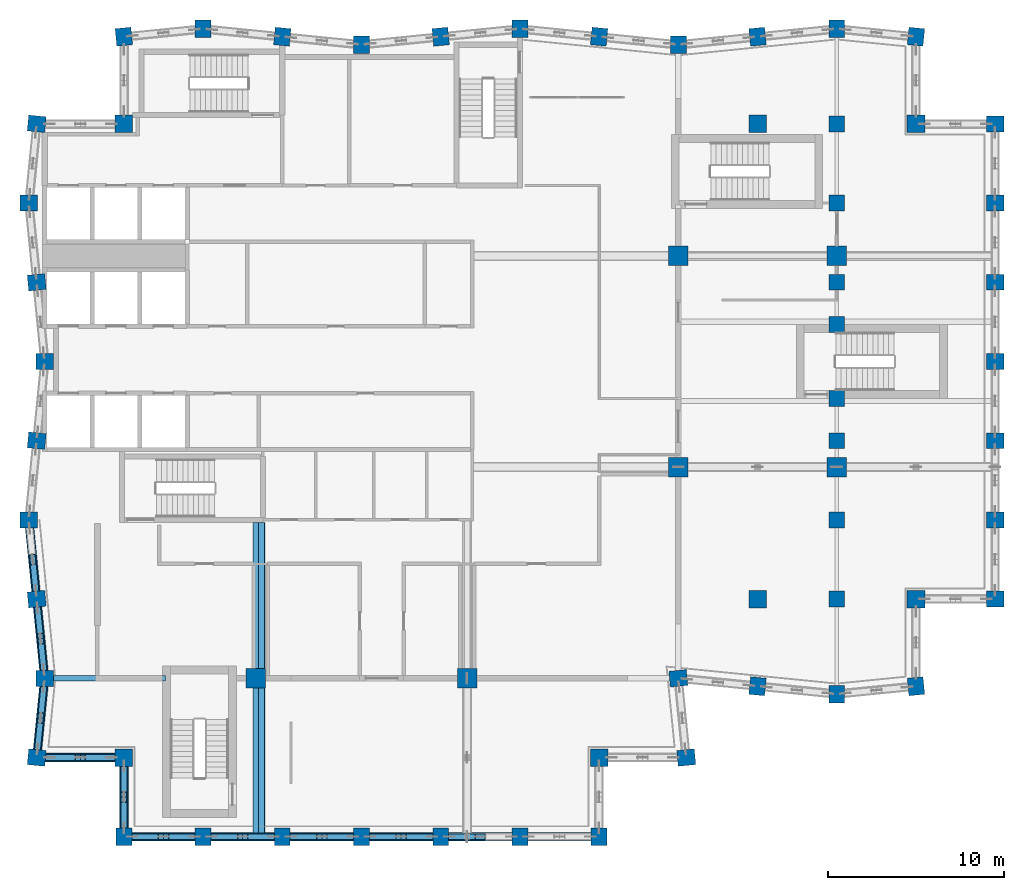
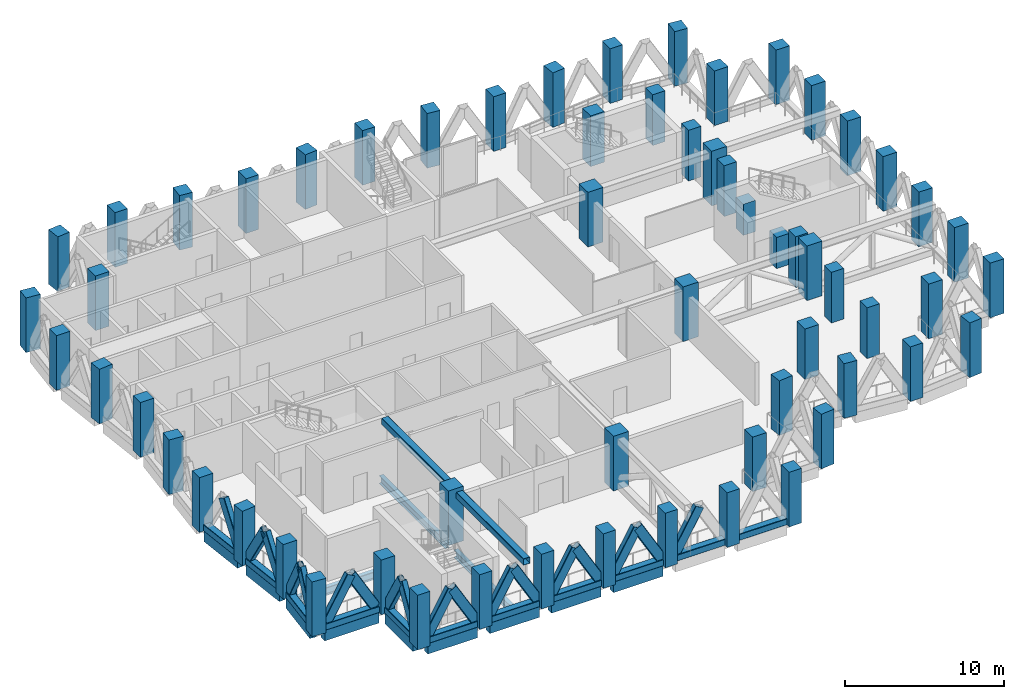
# One storey, part 1 of 18: 60 columns, 24 members, 12 beams.
"""IFC4 building model written with IfcOpenShell, lengths in metres."""

from ifc_helpers import new_model, si_unit, direction, frame, origin, origin_2d, place, context, subcontext, project, spatial, rectangle, hollow_rectangle, i_section, extrude, material, material_profile, profile_set, type_object, element, save


model = new_model("IFC4")

# Units and contexts
model_context = context("Model", 3, precision=1e-05, world=origin(), true_north=direction((0.0, 1.0)))
body_context = subcontext(model_context, "Body", "Model", "MODEL_VIEW")
ifc_project = project(units=[si_unit("LENGTHUNIT", "METRE"), si_unit("AREAUNIT", "SQUARE_METRE"), si_unit("VOLUMEUNIT", "CUBIC_METRE"), si_unit("PLANEANGLEUNIT", "RADIAN"), si_unit("MASSUNIT", "GRAM", prefix="KILO")], contexts=[model_context])

# Site, building, storey
site_placement = place(None, origin())
site = spatial("IfcSite", under=ifc_project, at=site_placement, CompositionType="ELEMENT")
building_placement = place(site_placement, origin())
building = spatial("IfcBuilding", under=site, at=building_placement, Name="Brondeck Convention Tower", CompositionType="ELEMENT")
storey_placement = place(building_placement, frame((0.0, 0.0, 248.199951171875)))
storey = spatial("IfcBuildingStorey", under=building, at=storey_placement, Name="L61", CompositionType="ELEMENT", Elevation=248.199951171875)

# Columns
ifc_material_1 = material(Name="Concrete C50/60", Category="concrete")
ifc_material_profile_1 = material_profile(ifc_material_1, rectangle(XDim=1.0, YDim=1.0, at=origin_2d()), Name="Corner column 1000x1000 Concrete C50/60")
ifc_profile_set_1 = profile_set([ifc_material_profile_1], Name="Concrete C50/60")
column_type_1 = type_object("IfcColumnType", Name="Corner column 1000x1000 Concrete C50/60", PredefinedType="COLUMN", material=ifc_profile_set_1)
for number, where, z_axis, x_axis, name in (
    (1, (4.5, 22.5, 0.0), (0.0, 0.0, 1.0), (1.0, 0.0, 0.0), "STR-COL-L61-NC-SWB18"),
    (2, (31.5, 22.5, 0.0), (0.0, 0.0, 1.0), (1.0, 0.0, 0.0), "STR-COL-L61-NC-SEB18"),
    (3, (49.5, 31.5, 0.0), (0.0, 0.0, 1.0), (1.0, 0.0, 0.0), "STR-COL-L61-NC-SEA54"),
    (4, (49.5, 58.5, 0.0), (0.0, 0.0, 1.0), (1.0, 0.0, 0.0), "STR-COL-L61-NC-NEA54"),
    (5, (4.5, 58.5, 0.0), (0.0, 0.0, 1.0), (1.0, 0.0, 0.0), "STR-COL-L61-NC-NW"),
):
    element("IfcColumn", number, at=place(storey_placement, frame(where, z_axis=z_axis, x_axis=x_axis)), inside=storey, type_object=column_type_1, Name=name, PredefinedType="COLUMN", context=body_context, shape_type="SweptSolid", body=[
        extrude(rectangle(XDim=1.0, YDim=1.0, at=origin_2d()), origin(), (0.0, 0.0, 1.0), 4.199951171875),
    ])
ifc_material_profile_2 = material_profile(ifc_material_1, rectangle(XDim=1.10009765625, YDim=1.10009765625, at=origin_2d()), Name="Interior column 1100x1100 Concrete C50/60")
ifc_profile_set_2 = profile_set([ifc_material_profile_2], Name="Concrete C50/60")
column_type_2 = type_object("IfcColumnType", Name="Interior column 1100x1100 Concrete C50/60", PredefinedType="COLUMN", material=ifc_profile_set_2)
for number, where, z_axis, x_axis, name in (
    (6, (12.0, 27.0, 0.0), (0.0, 0.0, 1.0), (1.0, 0.0, 0.0), "STR-COL-L61-IC-03"),
    (7, (24.0, 27.0, 0.0), (0.0, 0.0, 1.0), (1.0, 0.0, 0.0), "STR-COL-L61-IC-06"),
    (8, (36.0, 39.0, 0.0), (0.0, 0.0, 1.0), (1.0, 0.0, 0.0), "STR-COL-L61-IC-07"),
    (9, (36.0, 51.0, 0.0), (0.0, 0.0, 1.0), (1.0, 0.0, 0.0), "STR-COL-L61-IC-08"),
    (10, (45.0, 39.0, 0.0), (0.0, 0.0, 1.0), (1.0, 0.0, 0.0), "STR-COL-L61-IC-09"),
    (11, (45.0, 51.0, 0.0), (0.0, 0.0, 1.0), (1.0, 0.0, 0.0), "STR-COL-L61-IC-10"),
):
    element("IfcColumn", number, at=place(storey_placement, frame(where, z_axis=z_axis, x_axis=x_axis)), inside=storey, type_object=column_type_2, Name=name, PredefinedType="COLUMN", context=body_context, shape_type="SweptSolid", body=[
        extrude(rectangle(XDim=1.10009765625, YDim=1.10009765625, at=origin_2d()), origin(), (0.0, 0.0, 1.0), 4.199951171875),
    ])
ifc_material_profile_3 = material_profile(ifc_material_1, rectangle(XDim=1.0, YDim=1.0, at=origin_2d()), Name="Perimeter pier 1000x1000 Concrete C50/60")
ifc_profile_set_3 = profile_set([ifc_material_profile_3], Name="Concrete C50/60")
column_type_3 = type_object("IfcColumnType", Name="Perimeter pier 1000x1000 Concrete C50/60", PredefinedType="COLUMN", material=ifc_profile_set_3)
for number, where, z_axis, x_axis, name in (
    (12, (40.5, 31.5, 0.0), (0.0, 0.0, 1.0), (1.0, 0.0, 0.0), "Transfer post L61-37"),
    (13, (40.5, 58.5, 0.0), (0.0, 0.0, 1.0), (1.0, 0.0, 0.0), "Transfer post L61-38"),
):
    element("IfcColumn", number, at=place(storey_placement, frame(where, z_axis=z_axis, x_axis=x_axis)), inside=storey, type_object=column_type_3, Name=name, PredefinedType="COLUMN", context=body_context, shape_type="SweptSolid", body=[
        extrude(rectangle(XDim=1.0, YDim=1.0, at=origin_2d()), origin(), (0.0, 0.0, 1.0), 3.900146484375),
    ])
ifc_material_profile_4 = material_profile(ifc_material_1, rectangle(XDim=0.89990234375, YDim=1.0, at=origin_2d()), Name="Perimeter pier 900x1000 Concrete C50/60")
ifc_profile_set_4 = profile_set([ifc_material_profile_4], Name="Concrete C50/60")
column_type_4 = type_object("IfcColumnType", Name="Perimeter pier 900x1000 Concrete C50/60", PredefinedType="COLUMN", material=ifc_profile_set_4)
for number, where, z_axis, x_axis, name in (
    (14, (4.5, 18.0, 0.0), (0.0, 0.0, 1.0), (1.0, 0.0, 0.0), "STR-COL-L61-PC-B-S18-01"),
    (15, (9.0, 18.0, 0.0), (0.0, 0.0, 1.0), (1.0, 0.0, 0.0), "STR-COL-L61-PC-B-S18-02"),
    (16, (13.5, 18.0, 0.0), (0.0, 0.0, 1.0), (1.0, 0.0, 0.0), "STR-COL-L61-PC-B-S18-03"),
    (17, (18.0, 18.0, 0.0), (0.0, 0.0, 1.0), (1.0, 0.0, 0.0), "STR-COL-L61-PC-B-S18-04"),
    (18, (22.5, 18.0, 0.0), (0.0, 0.0, 1.0), (1.0, 0.0, 0.0), "STR-COL-L61-PC-B-S18-05"),
    (19, (27.0, 18.0, 0.0), (0.0, 0.0, 1.0), (1.0, 0.0, 0.0), "STR-COL-L61-PC-B-S18-06"),
    (20, (31.5, 18.0, 0.0), (0.0, 0.0, 1.0), (1.0, 0.0, 0.0), "STR-COL-L61-PC-B-S18-07"),
    (21, (36.449951171875, 22.5, 0.0), (0.0, 0.0, 1.0), (-0.0995038382, 0.995037178292, 0.0), "STR-COL-L61-PC-B-E-01"),
    (22, (36.0, 27.0, 0.0), (0.0, 0.0, 1.0), (-0.0995038382, 0.995037178292, 0.0), "STR-COL-L61-PC-B-E-00"),
    (23, (40.5, 26.550048828125, 0.0), (0.0, 0.0, 1.0), (0.995037178292, -0.0995038382, 0.0), "STR-COL-L61-PC-A-S-01"),
    (24, (45.0, 26.10009765625, 0.0), (0.0, 0.0, 1.0), (1.0, 0.0, 0.0), "STR-COL-L61-PC-A-S-02"),
    (25, (49.5, 26.550048828125, 0.0), (0.0, 0.0, 1.0), (0.995037178292, 0.0995038382, 0.0), "STR-COL-L61-PC-A-S-03"),
    (26, (54.0, 31.5, 0.0), (0.0, 0.0, 1.0), (0.0, 1.0, 0.0), "STR-COL-L61-PC-A-E54-01"),
    (27, (54.0, 36.0, 0.0), (0.0, 0.0, 1.0), (0.0, 1.0, 0.0), "STR-COL-L61-PC-A-E54-02"),
    (28, (54.0, 40.5, 0.0), (0.0, 0.0, 1.0), (0.0, 1.0, 0.0), "STR-COL-L61-PC-A-E54-03"),
    (29, (54.0, 45.0, 0.0), (0.0, 0.0, 1.0), (0.0, 1.0, 0.0), "STR-COL-L61-PC-A-E54-04"),
    (30, (54.0, 49.5, 0.0), (0.0, 0.0, 1.0), (0.0, 1.0, 0.0), "STR-COL-L61-PC-A-E54-05"),
    (31, (54.0, 54.0, 0.0), (0.0, 0.0, 1.0), (0.0, 1.0, 0.0), "STR-COL-L61-PC-A-E54-06"),
    (32, (54.0, 58.5, 0.0), (0.0, 0.0, 1.0), (0.0, 1.0, 0.0), "STR-COL-L61-PC-A-E54-07"),
    (33, (49.5, 63.449951171875, 0.0), (0.0, 0.0, 1.0), (-0.995037178292, 0.0995038382, 0.0), "STR-COL-L61-PC-A-N-11"),
    (34, (45.0, 63.89990234375, 0.0), (0.0, 0.0, 1.0), (-1.0, 0.0, 0.0), "STR-COL-L61-PC-A-N-10"),
    (35, (40.5, 63.449951171875, 0.0), (0.0, 0.0, 1.0), (-0.995037178292, -0.0995038382, 0.0), "STR-COL-L61-PC-A-N-09"),
    (36, (36.0, 63.0, 0.0), (0.0, 0.0, 1.0), (-1.0, 0.0, 0.0), "STR-COL-L61-PC-A-N-08"),
    (37, (31.5, 63.449951171875, 0.0), (0.0, 0.0, 1.0), (-0.995037178292, 0.0995038382, 0.0), "STR-COL-L61-PC-A-N-07"),
    (38, (27.0, 63.89990234375, 0.0), (0.0, 0.0, 1.0), (-1.0, 0.0, 0.0), "STR-COL-L61-PC-A-N-06"),
    (39, (22.5, 63.449951171875, 0.0), (0.0, 0.0, 1.0), (-0.995037178292, -0.0995038382, 0.0), "STR-COL-L61-PC-A-N-05"),
    (40, (18.0, 63.0, 0.0), (0.0, 0.0, 1.0), (-1.0, 0.0, 0.0), "STR-COL-L61-PC-A-N-04"),
    (41, (13.5, 63.449951171875, 0.0), (0.0, 0.0, 1.0), (-0.995037178292, 0.0995038382, 0.0), "STR-COL-L61-PC-A-N-03"),
    (42, (9.0, 63.89990234375, 0.0), (0.0, 0.0, 1.0), (-1.0, 0.0, 0.0), "STR-COL-L61-PC-A-N-02"),
    (43, (4.5, 63.449951171875, 0.0), (0.0, 0.0, 1.0), (-0.995037178292, -0.0995038382, 0.0), "STR-COL-L61-PC-A-N-01"),
    (44, (-0.449951171875, 58.5, 0.0), (0.0, 0.0, 1.0), (-0.0995038382, -0.995037178292, 0.0), "STR-COL-L61-PC-B-W-01"),
    (45, (-0.89990234375, 54.0, 0.0), (0.0, 0.0, 1.0), (0.0, -1.0, 0.0), "STR-COL-L61-PC-B-W-02"),
    (46, (-0.449951171875, 49.5, 0.0), (0.0, 0.0, 1.0), (0.0995038382, -0.995037178292, 0.0), "STR-COL-L61-PC-B-W-03"),
    (47, (0.0, 45.0, 0.0), (0.0, 0.0, 1.0), (0.0, -1.0, 0.0), "STR-COL-L61-PC-B-W-04"),
    (48, (-0.449951171875, 40.5, 0.0), (0.0, 0.0, 1.0), (-0.0995038382, -0.995037178292, 0.0), "STR-COL-L61-PC-B-W-05"),
    (49, (-0.89990234375, 36.0, 0.0), (0.0, 0.0, 1.0), (0.0, -1.0, 0.0), "STR-COL-L61-PC-B-W-06"),
    (50, (-0.449951171875, 31.5, 0.0), (0.0, 0.0, 1.0), (0.0995038382, -0.995037178292, 0.0), "STR-COL-L61-PC-B-W-07"),
    (51, (0.0, 27.0, 0.0), (0.0, 0.0, 1.0), (0.0, -1.0, 0.0), "STR-COL-L61-PC-B-W-08"),
    (52, (-0.449951171875, 22.5, 0.0), (0.0, 0.0, 1.0), (-0.0995038382, -0.995037178292, 0.0), "STR-COL-L61-PC-B-W-09"),
):
    element("IfcColumn", number, at=place(storey_placement, frame(where, z_axis=z_axis, x_axis=x_axis)), inside=storey, type_object=column_type_4, Name=name, PredefinedType="COLUMN", context=body_context, shape_type="SweptSolid", body=[
        extrude(rectangle(XDim=0.89990234375, YDim=1.0, at=origin_2d()), origin(), (0.0, 0.0, 1.0), 4.199951171875),
    ])
ifc_material_profile_5 = material_profile(ifc_material_1, rectangle(XDim=0.89990234375, YDim=0.89990234375, at=origin_2d()), Name="Perimeter pier 900x900 Concrete C50/60")
ifc_profile_set_5 = profile_set([ifc_material_profile_5], Name="Concrete C50/60")
column_type_5 = type_object("IfcColumnType", Name="Perimeter pier 900x900 Concrete C50/60", PredefinedType="COLUMN", material=ifc_profile_set_5)
for number, where, z_axis, x_axis, name in (
    (53, (45.0, 31.5, 0.0), (0.0, 0.0, 1.0), (0.0, 1.0, 0.0), "Transfer post L61-39"),
    (54, (45.0, 36.0, 0.0), (0.0, 0.0, 1.0), (0.0, 1.0, 0.0), "Transfer post L61-40"),
    (55, (45.0, 40.5, 0.0), (0.0, 0.0, 1.0), (0.0, 1.0, 0.0), "Transfer post L61-41"),
):
    element("IfcColumn", number, at=place(storey_placement, frame(where, z_axis=z_axis, x_axis=x_axis)), inside=storey, type_object=column_type_5, Name=name, PredefinedType="COLUMN", context=body_context, shape_type="SweptSolid", body=[
        extrude(rectangle(XDim=0.89990234375, YDim=0.89990234375, at=origin_2d()), origin(), (0.0, 0.0, 1.0), 3.900146484375),
    ])
for number, where, z_axis, x_axis, name in (
    (56, (45.0, 42.89990234375, 0.0), (0.0, 0.0, 1.0), (1.0, 0.0, 0.0), "Transfer post L61-42"),
    (57, (45.0, 47.10009765625, 0.0), (0.0, 0.0, 1.0), (1.0, 0.0, 0.0), "Transfer post L61-43"),
):
    element("IfcColumn", number, at=place(storey_placement, frame(where, z_axis=z_axis, x_axis=x_axis)), inside=storey, type_object=column_type_5, Name=name, PredefinedType="COLUMN", context=body_context, shape_type="SweptSolid", body=[
        extrude(rectangle(XDim=0.89990234375, YDim=0.89990234375, at=origin_2d()), origin(), (0.0, 0.0, 1.0), 2.400146484375),
    ])
for number, where, z_axis, x_axis, name in (
    (58, (45.0, 49.5, 0.0), (0.0, 0.0, 1.0), (0.0, 1.0, 0.0), "Transfer post L61-44"),
    (59, (45.0, 54.0, 0.0), (0.0, 0.0, 1.0), (0.0, 1.0, 0.0), "Transfer post L61-45"),
    (60, (45.0, 58.5, 0.0), (0.0, 0.0, 1.0), (0.0, 1.0, 0.0), "Transfer post L61-46"),
):
    element("IfcColumn", number, at=place(storey_placement, frame(where, z_axis=z_axis, x_axis=x_axis)), inside=storey, type_object=column_type_5, Name=name, PredefinedType="COLUMN", context=body_context, shape_type="SweptSolid", body=[
        extrude(rectangle(XDim=0.89990234375, YDim=0.89990234375, at=origin_2d()), origin(), (0.0, 0.0, 1.0), 3.900146484375),
    ])

# Members
ifc_material_2 = material(Name="Steel S460", Category="steel")
ifc_material_profile_6 = material_profile(ifc_material_2, hollow_rectangle(XDim=0.39990234375, YDim=0.699951171875, WallThickness=0.030029296875, InnerFilletRadius=0.030029296875, OuterFilletRadius=0.06005859375, at=origin_2d()), Name="RHS 700x400x30")
ifc_profile_set_6 = profile_set([ifc_material_profile_6], Name="Steel S460")
member_type_1 = type_object("IfcMemberType", Name="Chevron brace RHS 700x400x30", PredefinedType="BRACE", material=ifc_profile_set_6)
for number, where, z_axis, x_axis, name in (
    (61, (4.989013671875, 18.0, 0.5), (0.500008478926, 0.0, 0.866020508419), (0.0, 1.0, 0.0), "Belt truss BT-61-1 diagonal"),
    (62, (8.510986328125, 18.0, 0.5), (-0.500008478926, 0.0, 0.866020508419), (0.0, -1.0, 0.0), "Belt truss BT-61-1 diagonal"),
    (63, (9.489013671875, 18.0, 0.5), (0.500008478926, 0.0, 0.866020508419), (0.0, 1.0, 0.0), "Belt truss BT-61-2 diagonal"),
    (64, (13.010986328125, 18.0, 0.5), (-0.500008478926, 0.0, 0.866020508419), (0.0, -1.0, 0.0), "Belt truss BT-61-2 diagonal"),
    (65, (13.989013671875, 18.0, 0.5), (0.500008478926, 0.0, 0.866020508419), (0.0, 1.0, 0.0), "Belt truss BT-61-3 diagonal"),
    (66, (17.510986328125, 18.0, 0.5), (-0.500008478926, 0.0, 0.866020508419), (0.0, -1.0, 0.0), "Belt truss BT-61-3 diagonal"),
    (67, (18.489013671875, 18.0, 0.5), (0.500008478926, 0.0, 0.866020508419), (0.0, 1.0, 0.0), "Belt truss BT-61-4 diagonal"),
    (68, (22.010986328125, 18.0, 0.5), (-0.500008478926, 0.0, 0.866020508419), (0.0, -1.0, 0.0), "Belt truss BT-61-4 diagonal"),
    (69, (22.989013671875, 18.0, 0.5), (0.500008478926, 0.0, 0.866020508419), (0.0, 1.0, 0.0), "Belt truss BT-61-5 diagonal"),
    (70, (-0.499755859375, 31.997802734375, 0.5), (-0.049772391254, 0.497515949904, 0.866025743647), (-0.995033071281, -0.099544899705, 0.0), "Belt truss BT-61-40 diagonal"),
    (71, (-0.400146484375, 31.002197265625, 0.5), (0.049703241745, -0.49751766528, 0.866028729601), (0.995046794549, 0.099407628771, 0.0), "Belt truss BT-61-41 diagonal"),
    (72, (-0.0498046875, 27.497802734375, 0.5), (-0.049772391254, 0.497515949904, 0.866025743647), (-0.995033071281, -0.099544899705, 0.0), "Belt truss BT-61-41 diagonal"),
    (73, (-0.0498046875, 26.502197265625, 0.5), (-0.049772391254, -0.497515949904, 0.866025743647), (0.995033071281, -0.099544899705, 0.0), "Belt truss BT-61-42 diagonal"),
    (74, (-0.400146484375, 22.997802734375, 0.5), (0.049703241745, 0.49751766528, 0.866028729601), (-0.995046794549, 0.099407628771, 0.0), "Belt truss BT-61-42 diagonal"),
):
    element("IfcMember", number, at=place(storey_placement, frame(where, z_axis=z_axis, x_axis=x_axis)), inside=storey, type_object=member_type_1, Name=name, PredefinedType="BRACE", context=body_context, shape_type="SweptSolid", body=[
        extrude(hollow_rectangle(XDim=0.39990234375, YDim=0.699951171875, WallThickness=0.030029296875, InnerFilletRadius=0.030029296875, OuterFilletRadius=0.06005859375, at=origin_2d()), origin(), (0.0, 0.0, 1.0), 3.52197265625),
    ])
member_1_placement = place(storey_placement, frame((0.26416015625, 22.5, 0.5), z_axis=(0.499956486466, 0.0, 0.866050524878), x_axis=(0.0, 1.0, 0.0)))
element("IfcMember", 75, at=member_1_placement, inside=storey, type_object=member_type_1, Name="Belt truss BT-61-43 diagonal", PredefinedType="BRACE", context=body_context, shape_type="SweptSolid", body=[
    extrude(hollow_rectangle(XDim=0.39990234375, YDim=0.699951171875, WallThickness=0.030029296875, InnerFilletRadius=0.030029296875, OuterFilletRadius=0.06005859375, at=origin_2d()), origin(), (0.0, 0.0, 1.0), 3.521728515625),
])
for number, where, z_axis, x_axis, name in (
    (76, (3.785888671875, 22.5, 0.5), (-0.500008478926, 0.0, 0.866020508419), (0.0, -1.0, 0.0), "Belt truss BT-61-43 diagonal"),
    (77, (4.5, 22.010986328125, 0.5), (0.0, -0.500008478926, 0.866020508419), (1.0, 0.0, 0.0), "Belt truss BT-61-44 diagonal"),
    (78, (4.5, 18.489013671875, 0.5), (0.0, 0.500008478926, 0.866020508419), (-1.0, 0.0, 0.0), "Belt truss BT-61-44 diagonal"),
):
    element("IfcMember", number, at=place(storey_placement, frame(where, z_axis=z_axis, x_axis=x_axis)), inside=storey, type_object=member_type_1, Name=name, PredefinedType="BRACE", context=body_context, shape_type="SweptSolid", body=[
        extrude(hollow_rectangle(XDim=0.39990234375, YDim=0.699951171875, WallThickness=0.030029296875, InnerFilletRadius=0.030029296875, OuterFilletRadius=0.06005859375, at=origin_2d()), origin(), (0.0, 0.0, 1.0), 3.52197265625),
    ])

# Beams
ifc_material_3 = material(Name="Steel S355", Category="steel")
ifc_material_profile_7 = material_profile(ifc_material_3, i_section(OverallWidth=0.300048828125, OverallDepth=0.60009765625, WebThickness=0.015380859375, FlangeThickness=0.030029296875, FilletRadius=0.027099609375, at=origin_2d()), Name="HEB 600")
ifc_profile_set_7 = profile_set([ifc_material_profile_7], Name="Steel S355")
beam_type_1 = type_object("IfcBeamType", Name="Girder HEB 600", PredefinedType="BEAM", material=ifc_profile_set_7)
beam_1_placement = place(storey_placement, frame((12.0, 35.85009765625, -0.75), z_axis=(0.0, -1.0, 0.0), x_axis=(1.0, 0.0, 0.0)))
element("IfcBeam", 79, at=beam_1_placement, inside=storey, type_object=beam_type_1, Name="STR-GR-L61-009", PredefinedType="BEAM", context=body_context, shape_type="SweptSolid", body=[
    extrude(i_section(OverallWidth=0.300048828125, OverallDepth=0.60009765625, WebThickness=0.015380859375, FlangeThickness=0.030029296875, FilletRadius=0.027099609375, at=origin_2d()), origin(), (0.0, 0.0, 1.0), 8.300048828125),
])
beam_2_placement = place(storey_placement, frame((12.0, 26.449951171875, -0.75), z_axis=(0.0, -1.0, 0.0), x_axis=(1.0, 0.0, 0.0)))
element("IfcBeam", 80, at=beam_2_placement, inside=storey, type_object=beam_type_1, Name="STR-GR-L61-010", PredefinedType="BEAM", context=body_context, shape_type="SweptSolid", body=[
    extrude(i_section(OverallWidth=0.300048828125, OverallDepth=0.60009765625, WebThickness=0.015380859375, FlangeThickness=0.030029296875, FilletRadius=0.027099609375, at=origin_2d()), origin(), (0.0, 0.0, 1.0), 8.224853515625),
])
beam_3_placement = place(storey_placement, frame((0.5, 27.0, -0.75), z_axis=(1.0, 0.0, 0.0), x_axis=(0.0, 1.0, 0.0)))
element("IfcBeam", 81, at=beam_3_placement, inside=storey, type_object=beam_type_1, Name="STR-GR-L61-013", PredefinedType="BEAM", context=body_context, shape_type="SweptSolid", body=[
    extrude(i_section(OverallWidth=0.300048828125, OverallDepth=0.60009765625, WebThickness=0.015380859375, FlangeThickness=0.030029296875, FilletRadius=0.027099609375, at=origin_2d()), origin(), (0.0, 0.0, 1.0), 6.3798828125),
])
ifc_material_profile_8 = material_profile(ifc_material_1, rectangle(XDim=0.449951171875, YDim=0.800048828125, at=origin_2d()), Name="Precast spandrel 450x800 Concrete C50/60")
ifc_profile_set_8 = profile_set([ifc_material_profile_8], Name="Concrete C50/60")
beam_type_2 = type_object("IfcBeamType", Name="Precast spandrel 450x800 Concrete C50/60", PredefinedType="SPANDREL", material=ifc_profile_set_8)
for number, where, z_axis, x_axis, name in (
    (82, (4.949951171875, 18.0, -0.39990234375), (1.0, 0.0, 0.0), (0.0, 1.0, 0.0), "STR-SP-L61-001"),
    (83, (9.449951171875, 18.0, -0.39990234375), (1.0, 0.0, 0.0), (0.0, 1.0, 0.0), "STR-SP-L61-002"),
    (84, (13.949951171875, 18.0, -0.39990234375), (1.0, 0.0, 0.0), (0.0, 1.0, 0.0), "STR-SP-L61-003"),
    (85, (18.449951171875, 18.0, -0.39990234375), (1.0, 0.0, 0.0), (0.0, 1.0, 0.0), "STR-SP-L61-004"),
):
    element("IfcBeam", number, at=place(storey_placement, frame(where, z_axis=z_axis, x_axis=x_axis)), inside=storey, type_object=beam_type_2, Name=name, PredefinedType="SPANDREL", context=body_context, shape_type="SweptSolid", body=[
        extrude(rectangle(XDim=0.449951171875, YDim=0.800048828125, at=origin_2d()), origin(), (0.0, 0.0, 1.0), 3.60009765625),
    ])
for number, where, z_axis, x_axis, name in (
    (86, (-0.85498046875, 35.550048828125, -0.39990234375), (0.099470334057, -0.995040528141, 0.0), (0.995040528141, 0.099470334057, 0.0), "STR-SP-L61-040"),
    (87, (-0.4052734375, 31.05224609375, -0.39990234375), (0.099537103649, -0.995033851182, 0.0), (0.995033851182, 0.099537103649, 0.0), "STR-SP-L61-041"),
    (88, (-0.044921875, 26.550048828125, -0.39990234375), (-0.099537103649, -0.995033851182, 0.0), (0.995033851182, -0.099537103649, 0.0), "STR-SP-L61-042"),
):
    element("IfcBeam", number, at=place(storey_placement, frame(where, z_axis=z_axis, x_axis=x_axis)), inside=storey, type_object=beam_type_2, Name=name, PredefinedType="SPANDREL", context=body_context, shape_type="SweptSolid", body=[
        extrude(rectangle(XDim=0.449951171875, YDim=0.800048828125, at=origin_2d()), origin(), (0.0, 0.0, 1.0), 3.620361328125),
    ])
beam_4_placement = place(storey_placement, frame((0.052490234375, 22.5, -0.39990234375), z_axis=(1.0, 0.0, 0.0), x_axis=(0.0, 1.0, 0.0)))
element("IfcBeam", 89, at=beam_4_placement, inside=storey, type_object=beam_type_2, Name="STR-SP-L61-043", PredefinedType="SPANDREL", context=body_context, shape_type="SweptSolid", body=[
    extrude(rectangle(XDim=0.449951171875, YDim=0.800048828125, at=origin_2d()), origin(), (0.0, 0.0, 1.0), 3.947509765625),
])
beam_5_placement = place(storey_placement, frame((4.5, 22.0, -0.39990234375), z_axis=(0.0, -1.0, 0.0), x_axis=(1.0, 0.0, 0.0)))
element("IfcBeam", 90, at=beam_5_placement, inside=storey, type_object=beam_type_2, Name="STR-SP-L61-044", PredefinedType="SPANDREL", context=body_context, shape_type="SweptSolid", body=[
    extrude(rectangle(XDim=0.449951171875, YDim=0.800048828125, at=origin_2d()), origin(), (0.0, 0.0, 1.0), 3.5),
])

# Members
ifc_material_profile_9 = material_profile(ifc_material_2, hollow_rectangle(XDim=0.5, YDim=0.5, WallThickness=0.02490234375, InnerFilletRadius=0.02490234375, OuterFilletRadius=0.050048828125, at=origin_2d()), Name="RHS 500x500x25")
ifc_profile_set_9 = profile_set([ifc_material_profile_9], Name="Steel S460")
member_type_2 = type_object("IfcMemberType", Name="Truss chord RHS 500x500x25", PredefinedType="CHORD", material=ifc_profile_set_9)
member_2_placement = place(storey_placement, frame((4.5, 18.0, 0.25), z_axis=(1.0, 0.0, 0.0), x_axis=(0.0, 1.0, 0.0)))
element("IfcMember", 91, at=member_2_placement, inside=storey, type_object=member_type_2, Name="Belt truss BT-61-1 chord", PredefinedType="CHORD", context=body_context, shape_type="SweptSolid", body=[
    extrude(hollow_rectangle(XDim=0.5, YDim=0.5, WallThickness=0.02490234375, InnerFilletRadius=0.02490234375, OuterFilletRadius=0.050048828125, at=origin_2d()), origin(), (0.0, 0.0, 1.0), 27.0),
])
member_3_placement = place(storey_placement, frame((-0.89990234375, 36.0, 0.25), z_axis=(0.099493029059, -0.995038259148, 0.0), x_axis=(0.995038259148, 0.099493029059, 0.0)))
element("IfcMember", 92, at=member_3_placement, inside=storey, type_object=member_type_2, Name="Belt truss BT-61-23 chord", PredefinedType="CHORD", context=body_context, shape_type="SweptSolid", body=[
    extrude(hollow_rectangle(XDim=0.5, YDim=0.5, WallThickness=0.02490234375, InnerFilletRadius=0.02490234375, OuterFilletRadius=0.050048828125, at=origin_2d()), origin(), (0.0, 0.0, 1.0), 9.044921875),
])
member_4_placement = place(storey_placement, frame((0.0, 27.0, 0.25), z_axis=(-0.099493029059, -0.995038259148, 0.0), x_axis=(0.995038259148, -0.099493029059, 0.0)))
element("IfcMember", 93, at=member_4_placement, inside=storey, type_object=member_type_2, Name="Belt truss BT-61-24 chord", PredefinedType="CHORD", context=body_context, shape_type="SweptSolid", body=[
    extrude(hollow_rectangle(XDim=0.5, YDim=0.5, WallThickness=0.02490234375, InnerFilletRadius=0.02490234375, OuterFilletRadius=0.050048828125, at=origin_2d()), origin(), (0.0, 0.0, 1.0), 4.5224609375),
])
member_5_placement = place(storey_placement, frame((-0.449951171875, 22.5, 0.25), z_axis=(1.0, 0.0, 0.0), x_axis=(0.0, 1.0, 0.0)))
element("IfcMember", 94, at=member_5_placement, inside=storey, type_object=member_type_2, Name="Belt truss BT-61-25 chord", PredefinedType="CHORD", context=body_context, shape_type="SweptSolid", body=[
    extrude(hollow_rectangle(XDim=0.5, YDim=0.5, WallThickness=0.02490234375, InnerFilletRadius=0.02490234375, OuterFilletRadius=0.050048828125, at=origin_2d()), origin(), (0.0, 0.0, 1.0), 4.949951171875),
])
member_6_placement = place(storey_placement, frame((4.5, 22.5, 0.25), z_axis=(0.0, -1.0, 0.0), x_axis=(1.0, 0.0, 0.0)))
element("IfcMember", 95, at=member_6_placement, inside=storey, type_object=member_type_2, Name="Belt truss BT-61-26 chord", PredefinedType="CHORD", context=body_context, shape_type="SweptSolid", body=[
    extrude(hollow_rectangle(XDim=0.5, YDim=0.5, WallThickness=0.02490234375, InnerFilletRadius=0.02490234375, OuterFilletRadius=0.050048828125, at=origin_2d()), origin(), (0.0, 0.0, 1.0), 4.5),
])
member_7_placement = place(storey_placement, frame((12.27001953125, 35.85009765625, 3.650146484375), z_axis=(0.0, -1.0, 0.0), x_axis=(1.0, 0.0, 0.0)))
element("IfcMember", 96, at=member_7_placement, inside=storey, type_object=member_type_2, Name="Outrigger truss OT-61-B1 chord", PredefinedType="CHORD", context=body_context, shape_type="SweptSolid", body=[
    extrude(hollow_rectangle(XDim=0.5, YDim=0.5, WallThickness=0.02490234375, InnerFilletRadius=0.02490234375, OuterFilletRadius=0.050048828125, at=origin_2d()), origin(), (0.0, 0.0, 1.0), 17.85009765625),
])

save(model, "model.ifc")
